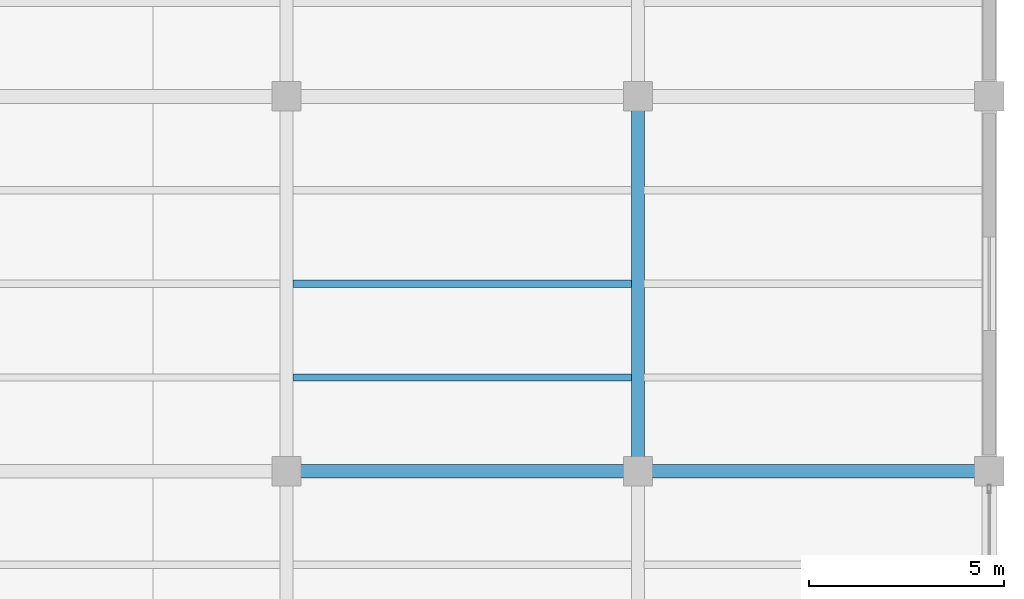
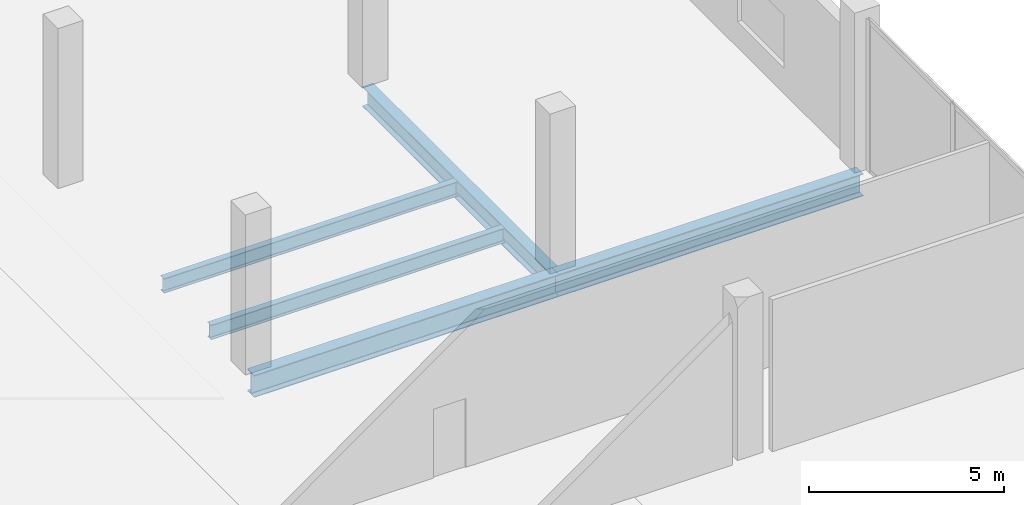
# One storey, part 23 of 47: 5 beams.
"""IFC4 building model written with IfcOpenShell, lengths in metres."""

from ifc_helpers import new_model, si_unit, direction, frame, origin, origin_2d, place, context, subcontext, project, spatial, i_section, extrude, material, material_profile, profile_set, type_object, element, save


model = new_model("IFC4")

# Units and contexts
model_context = context("Model", 3, precision=1e-05, world=origin(), true_north=direction((0.0, 1.0)))
body_context = subcontext(model_context, "Body", "Model", "MODEL_VIEW")
ifc_project = project(units=[si_unit("LENGTHUNIT", "METRE"), si_unit("AREAUNIT", "SQUARE_METRE"), si_unit("VOLUMEUNIT", "CUBIC_METRE"), si_unit("PLANEANGLEUNIT", "RADIAN"), si_unit("MASSUNIT", "GRAM", prefix="KILO")], contexts=[model_context])

# Site, building, storey
site_placement = place(None, origin())
site = spatial("IfcSite", under=ifc_project, at=site_placement, CompositionType="ELEMENT")
building_placement = place(site_placement, origin())
building = spatial("IfcBuilding", under=site, at=building_placement, Name="Qorvath Tower", CompositionType="ELEMENT")
storey_placement = place(building_placement, frame((0.0, 0.0, 12.0)))
storey = spatial("IfcBuildingStorey", under=building, at=storey_placement, Name="L02", CompositionType="ELEMENT", Elevation=12.0)

# Beams
ifc_material_1 = material(Name="Steel ASTM A992 Grade 50", Category="steel")
ifc_material_profile_1 = material_profile(ifc_material_1, i_section(OverallWidth=0.35595703125, OverallDepth=0.696044921875, WebThickness=0.015380859375, FlangeThickness=0.02490234375, FilletRadius=0.01806640625, at=origin_2d()), Name="W27x146")
ifc_profile_set_1 = profile_set([ifc_material_profile_1], Name="Steel ASTM A992 Grade 50")
beam_type_1 = type_object("IfcBeamType", Name="BM-FG4", PredefinedType="BEAM", material=ifc_profile_set_1)
for number, where, z_axis, x_axis, name in (
    (1, (59.39990234375, 19.199951171875, -0.60791015625), (1.0, 0.0, 0.0), (0.0, 1.0, 0.0), "Library E-W Girder L02-7-4"),
    (2, (68.39990234375, 19.199951171875, -0.60791015625), (1.0, 0.0, 0.0), (0.0, 1.0, 0.0), "Library E-W Girder L02-7-5"),
):
    element("IfcBeam", number, at=place(storey_placement, frame(where, z_axis=z_axis, x_axis=x_axis)), inside=storey, type_object=beam_type_1, Name=name, PredefinedType="BEAM", context=body_context, shape_type="SweptSolid", body=[
        extrude(i_section(OverallWidth=0.35595703125, OverallDepth=0.696044921875, WebThickness=0.015380859375, FlangeThickness=0.02490234375, FilletRadius=0.01806640625, at=origin_2d()), origin(), (0.0, 0.0, 1.0), 9.0),
    ])
ifc_material_2 = material(Name="Steel ASTM A992 Grade 50", Category="steel")
ifc_material_profile_2 = material_profile(ifc_material_2, i_section(OverallWidth=0.324951171875, OverallDepth=0.615966796875, WebThickness=0.013916015625, FlangeThickness=0.021484375, FilletRadius=0.01611328125, at=origin_2d()), Name="W24x117")
ifc_profile_set_2 = profile_set([ifc_material_profile_2], Name="Steel ASTM A992 Grade 50")
beam_type_2 = type_object("IfcBeamType", Name="BM-FG5", PredefinedType="BEAM", material=ifc_profile_set_2)
beam_placement = place(storey_placement, frame((68.39990234375, 19.199951171875, -0.568115234375), z_axis=(0.0, 1.0, 0.0), x_axis=(-1.0, 0.0, 0.0)))
element("IfcBeam", 3, at=beam_placement, inside=storey, type_object=beam_type_2, Name="Library N-S Girder L02-5-7", PredefinedType="BEAM", context=body_context, shape_type="SweptSolid", body=[
    extrude(i_section(OverallWidth=0.324951171875, OverallDepth=0.615966796875, WebThickness=0.013916015625, FlangeThickness=0.021484375, FilletRadius=0.01611328125, at=origin_2d()), origin(), (0.0, 0.0, 1.0), 9.60009765625),
])
ifc_material_3 = material(Name="Steel ASTM A992 Grade 50", Category="steel")
ifc_material_profile_3 = material_profile(ifc_material_3, i_section(OverallWidth=0.18994140625, OverallDepth=0.45703125, WebThickness=0.009033203125, FlangeThickness=0.014404296875, FilletRadius=0.011962890625, at=origin_2d()), Name="W18x50")
ifc_profile_set_3 = profile_set([ifc_material_profile_3], Name="Steel ASTM A992 Grade 50")
beam_type_3 = type_object("IfcBeamType", Name="BM-FJ2", PredefinedType="JOIST", material=ifc_profile_set_3)
for number, where, z_axis, x_axis, name in (
    (4, (59.560546875, 21.60009765625, -0.488525390625), (1.0, 0.0, 0.0), (0.0, 1.0, 0.0), "Library Stack Joist L02-7.1-4"),
    (5, (59.560546875, 24.0, -0.488525390625), (1.0, 0.0, 0.0), (0.0, 1.0, 0.0), "Library Stack Joist L02-7.2-4"),
):
    element("IfcBeam", number, at=place(storey_placement, frame(where, z_axis=z_axis, x_axis=x_axis)), inside=storey, type_object=beam_type_3, Name=name, PredefinedType="JOIST", context=body_context, shape_type="SweptSolid", body=[
        extrude(i_section(OverallWidth=0.18994140625, OverallDepth=0.45703125, WebThickness=0.009033203125, FlangeThickness=0.014404296875, FilletRadius=0.011962890625, at=origin_2d()), origin(), (0.0, 0.0, 1.0), 8.678955078125),
    ])

save(model, "model.ifc")
